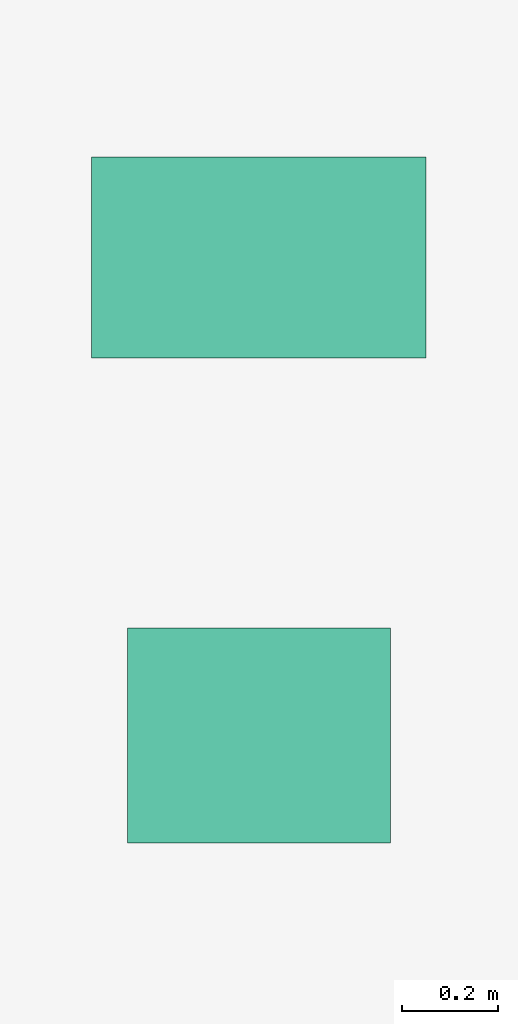
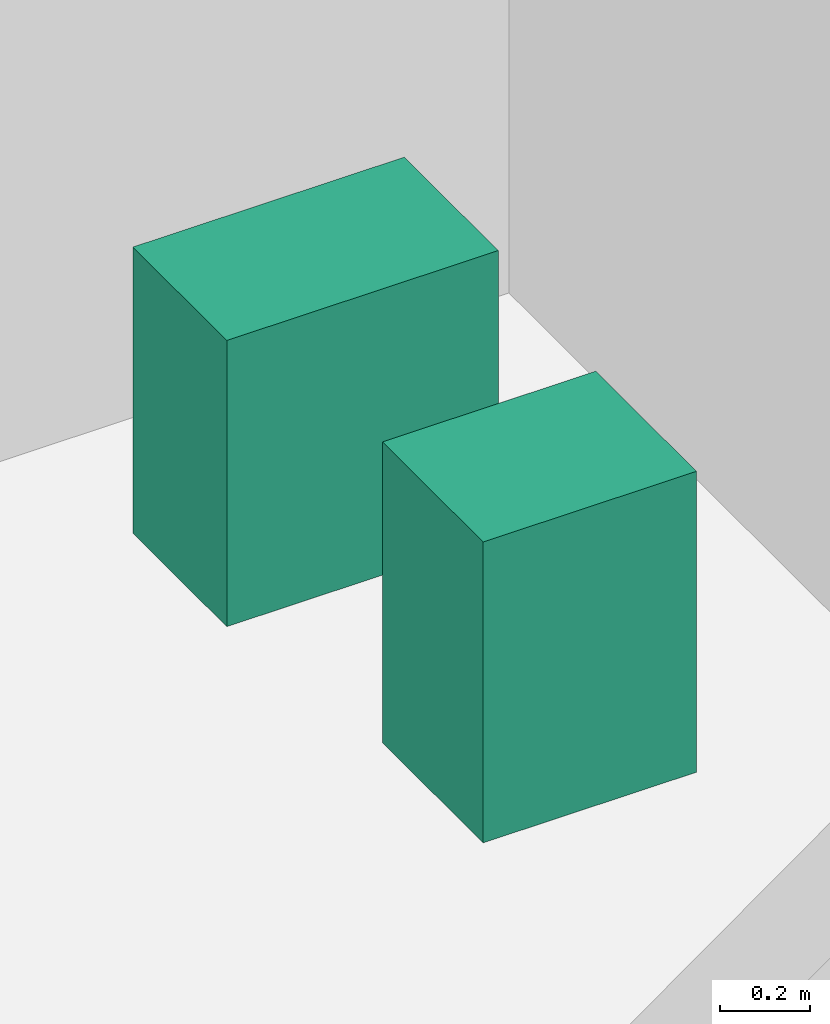
# One storey, part 28 of 28: 2 sanitary terminals.
"""IFC4 building model written with IfcOpenShell, lengths in metres."""

import ifcopenshell
import ifcopenshell.guid

model = None  # the IFC model being written
_history = None  # IfcOwnerHistory: only IFC2X3 demands one
_inside = {}  # id of a spatial element -> (the spatial element, [elements in it])
_under = {}  # id of a project, library or spatial element -> (it, [spatial elements below it])
_declared = {}  # id of a project -> (the project, [libraries it declares])
_typed = {}  # id of a type object -> (the type object, [elements of that type])
_made_of = {}  # id of a material, layer set ... -> (it, [elements and type objects made of it])


def new_model(schema):
    """Start an empty IFC model of exactly this schema.

    Asked for "IFC4X3", IfcOpenShell would pick the latest addendum, in which some entities
    have other attributes; the version numbers below select the first issue.
    IFC2X3 requires an IfcOwnerHistory on every rooted entity: one is made here for all.
    """
    global model, _history
    if schema == "IFC4X3":
        model = ifcopenshell.file(schema_version=(4, 3, 0, 0))
    else:
        model = ifcopenshell.file(schema=schema)
    _inside.clear()
    _under.clear()
    _declared.clear()
    _typed.clear()
    _made_of.clear()
    _history = None
    if model.schema == "IFC2X3":
        org = make("IfcOrganization", Name="unknown")
        user = make(
            "IfcPersonAndOrganization",
            ThePerson=make("IfcPerson", FamilyName="unknown"),
            TheOrganization=org,
        )
        app = make(
            "IfcApplication",
            ApplicationDeveloper=org,
            Version="unknown",
            ApplicationFullName="unknown",
            ApplicationIdentifier="unknown",
        )
        _history = make(
            "IfcOwnerHistory",
            OwningUser=user,
            OwningApplication=app,
            ChangeAction="ADDED",
            CreationDate=0,
        )
    return model


def make(cls, **values):
    """One entity of the class cls with the attributes given. An attribute that is None is left unset."""
    return model.create_entity(
        cls, **{name: value for name, value in values.items() if value is not None}
    )


def rooted(cls, **values):
    """An entity with a GlobalId (a new one), such as an element, a storey or a relation."""
    return make(cls, GlobalId=ifcopenshell.guid.new(), OwnerHistory=_history, **values)


def si_unit(unit_type, name, prefix=None):
    """IfcSIUnit, for example si_unit("LENGTHUNIT", "METRE", prefix="MILLI")."""
    return make("IfcSIUnit", UnitType=unit_type, Prefix=prefix, Name=name)


def assignment(units):
    """IfcUnitAssignment: the units of a project."""
    return None if units is None else make("IfcUnitAssignment", Units=units)


def point(xyz):
    """IfcCartesianPoint."""
    return None if xyz is None else make("IfcCartesianPoint", Coordinates=xyz)


def direction(xyz):
    """IfcDirection."""
    return None if xyz is None else make("IfcDirection", DirectionRatios=xyz)


def frame(location, z_axis=None, x_axis=None):
    """IfcAxis2Placement3D, a coordinate frame: its origin and axes. An axis left out is left unset."""
    return make(
        "IfcAxis2Placement3D",
        Location=point(location),
        Axis=direction(z_axis),
        RefDirection=direction(x_axis),
    )


def frame_2d(location, x_axis=None):
    """IfcAxis2Placement2D, a coordinate frame in the plane: its origin and x axis."""
    return make(
        "IfcAxis2Placement2D", Location=point(location), RefDirection=direction(x_axis)
    )


def origin():
    """The frame at (0, 0, 0) with its axes left unset."""
    return frame((0.0, 0.0, 0.0))


def origin_2d():
    """The frame at (0, 0) in the plane with its x axis left unset."""
    return frame_2d((0.0, 0.0))


def place(relative_to, where):
    """IfcLocalPlacement: puts the frame where relative to a parent placement (None: the world)."""
    return make(
        "IfcLocalPlacement", PlacementRelTo=relative_to, RelativePlacement=where
    )


def context(
    kind, dimensions, precision=None, world=None, true_north=None, identifier=None
):
    """IfcGeometricRepresentationContext, for example the 3D "Model" context."""
    return make(
        "IfcGeometricRepresentationContext",
        ContextIdentifier=identifier,
        ContextType=kind,
        CoordinateSpaceDimension=dimensions,
        Precision=precision,
        WorldCoordinateSystem=world,
        TrueNorth=true_north,
    )


def subcontext(parent, identifier, kind, view, scale=None):
    """IfcGeometricRepresentationSubContext, for example "Body" below "Model"."""
    return make(
        "IfcGeometricRepresentationSubContext",
        ContextIdentifier=identifier,
        ContextType=kind,
        ParentContext=parent,
        TargetScale=scale,
        TargetView=view,
    )


def project(units=None, contexts=None):
    """IfcProject with its units and contexts."""
    return rooted(
        "IfcProject",
        Name="project",
        RepresentationContexts=contexts,
        UnitsInContext=assignment(units),
    )


def spatial(cls, under=None, at=None, **own):
    """A site, building, storey or space (cls), placed at a placement, below another one or the project."""
    s = rooted(cls, ObjectPlacement=at, **own)
    if under is not None:
        _under.setdefault(under.id(), (under, []))[1].append(s)
    return s


def profile(cls, at=None, kind="AREA", **sizes):
    """A parametric profile (cls). Its sizes go by their IFC names, for example OverallWidth=200.0."""
    return make(cls, ProfileType=kind, Position=at, **sizes)


def rectangle(**sizes):
    """IfcRectangleProfileDef."""
    return profile("IfcRectangleProfileDef", **sizes)


def extrude(swept, where, along, depth):
    """IfcExtrudedAreaSolid: the profile swept, set in the frame where, extruded along a direction by depth."""
    return make(
        "IfcExtrudedAreaSolid",
        SweptArea=swept,
        Position=where,
        ExtrudedDirection=direction(along),
        Depth=depth,
    )


def shape(context_of_items, identifier, shape_type, items):
    """IfcShapeRepresentation: the items that make up one representation, for example the "Body"."""
    return make(
        "IfcShapeRepresentation",
        ContextOfItems=context_of_items,
        RepresentationIdentifier=identifier,
        RepresentationType=shape_type,
        Items=items,
    )


def source(mapping_origin, context_of_items, identifier, shape_type, items):
    """IfcRepresentationMap: a shape defined once, which mapped items show again and again."""
    return make(
        "IfcRepresentationMap",
        MappingOrigin=mapping_origin,
        MappedRepresentation=shape(context_of_items, identifier, shape_type, items),
    )


def transform(
    local_origin,
    x_axis=None,
    y_axis=None,
    z_axis=None,
    scale=None,
    scale2=None,
    scale3=None,
    uniform=True,
):
    """IfcCartesianTransformationOperator3D, or its non-uniform kind. x_axis, y_axis, z_axis: its Axis1, 2, 3."""
    if uniform:
        return make(
            "IfcCartesianTransformationOperator3D",
            Axis1=direction(x_axis),
            Axis2=direction(y_axis),
            LocalOrigin=point(local_origin),
            Scale=scale,
            Axis3=direction(z_axis),
        )
    return make(
        "IfcCartesianTransformationOperator3DnonUniform",
        Axis1=direction(x_axis),
        Axis2=direction(y_axis),
        LocalOrigin=point(local_origin),
        Scale=scale,
        Axis3=direction(z_axis),
        Scale2=scale2,
        Scale3=scale3,
    )


def mapped(mapping_source, mapping_target):
    """IfcMappedItem: shows the shape of a source again, moved by a transform."""
    return make(
        "IfcMappedItem", MappingSource=mapping_source, MappingTarget=mapping_target
    )


def material(Name=None, Category=None):
    """IfcMaterial."""
    return make("IfcMaterial", Name=Name, Category=Category)


def made_of(thing, what):
    """Note that an element or type object is made of a material, layer set ...; save() writes the relation."""
    if what is not None:
        _made_of.setdefault(what.id(), (what, []))[1].append(thing)
    return thing


def type_object(cls, material=None, **own):
    """A type object (cls), such as IfcWallType, which elements share."""
    return made_of(rooted(cls, **own), material)


def element(
    cls,
    number,
    at=None,
    inside=None,
    cuts=None,
    type_object=None,
    material=None,
    context=None,
    identifier="Body",
    shape_type=None,
    held_by="IfcProductDefinitionShape",
    body=None,
    shapes=None,
    **own,
):
    """One element of the class cls, such as IfcWall. Its Tag is "e" and its number.

    at: its placement. inside: the storey or other place that contains it. cuts: it is an
    opening in that element (IfcRelVoidsElement). A single representation is given by context,
    identifier, shape_type and body (its items); several are given by shapes. held_by: the class
    of the entity that holds the representations. save() writes the other relations.
    """
    e = rooted(cls, Tag="e%d" % number, ObjectPlacement=at, **own)
    if body is not None:
        shapes = [shape(context, identifier, shape_type, body)]
    if shapes is not None:
        e.Representation = make(held_by, Representations=shapes)
    if inside is not None:
        _inside.setdefault(inside.id(), (inside, []))[1].append(e)
    if cuts is not None:
        rooted(
            "IfcRelVoidsElement", RelatingBuildingElement=cuts, RelatedOpeningElement=e
        )
    if type_object is not None:
        _typed.setdefault(type_object.id(), (type_object, []))[1].append(e)
    return made_of(e, material)


def aggregate(whole, parts):
    """IfcRelAggregates: a whole, such as a stair, and the parts it consists of."""
    return rooted("IfcRelAggregates", RelatingObject=whole, RelatedObjects=parts)


def save(model, path):
    """Write the relations noted so far, then the file.

    IfcRelAggregates (storeys below a building ...), IfcRelContainedInSpatialStructure (elements
    in a storey), IfcRelDefinesByType, IfcRelAssociatesMaterial and IfcRelDeclares: one each for
    every whole, place, type object, material and project.
    """
    for whole, parts in _under.values():
        aggregate(whole, parts)
    for where, things in _inside.values():
        rooted(
            "IfcRelContainedInSpatialStructure",
            RelatedElements=things,
            RelatingStructure=where,
        )
    for kind, things in _typed.values():
        rooted("IfcRelDefinesByType", RelatedObjects=things, RelatingType=kind)
    for what, things in _made_of.values():
        rooted("IfcRelAssociatesMaterial", RelatedObjects=things, RelatingMaterial=what)
    for by, libraries in _declared.values():
        rooted("IfcRelDeclares", RelatingContext=by, RelatedDefinitions=libraries)
    model.write(path)


model = new_model("IFC4")

# Units and contexts
model_context = context("Model", 3, precision=1e-05, world=origin(), true_north=direction((0.0, 1.0)))
body_context = subcontext(model_context, "Body", "Model", "MODEL_VIEW")
ifc_project = project(units=[si_unit("LENGTHUNIT", "METRE"), si_unit("AREAUNIT", "SQUARE_METRE"), si_unit("VOLUMEUNIT", "CUBIC_METRE"), si_unit("PLANEANGLEUNIT", "RADIAN"), si_unit("MASSUNIT", "GRAM", prefix="KILO")], contexts=[model_context])

# Site, building, storey
site_placement = place(None, origin())
site = spatial("IfcSite", under=ifc_project, at=site_placement, CompositionType="ELEMENT")
building_placement = place(site_placement, origin())
building = spatial("IfcBuilding", under=site, at=building_placement, Name="Sumidabori Civic Tower", CompositionType="ELEMENT")
storey_placement = place(building_placement, frame((0.0, 0.0, 149.60009765625)))
storey = spatial("IfcBuildingStorey", under=building, at=storey_placement, Name="L38", CompositionType="ELEMENT", Elevation=149.60009765625)

# Sanitary terminals
ifc_material = material(Name="Vitreous Sanitary Porcelain")
sanitary_terminal_type_1 = type_object("IfcSanitaryTerminalType", Name="SN-WC-1", PredefinedType="TOILETPAN", material=ifc_material)
shared_shape_1 = source(origin(), body_context, "Body", "SweptSolid", [
    extrude(rectangle(XDim=0.699951171875, YDim=0.419921875, at=origin_2d()), origin(), (0.0, 0.0, 1.0), 0.780029296875),
])
sanitary_terminal_1_placement = place(storey_placement, frame((10.800048828125, 21.85009765625, 0.0), z_axis=(0.0, 0.0, 1.0), x_axis=(1.0, 0.0, 0.0)))
element("IfcSanitaryTerminal", 1, at=sanitary_terminal_1_placement, inside=storey, type_object=sanitary_terminal_type_1, Name="Accessible WC Pan L38", PredefinedType="TOILETPAN", context=body_context, shape_type="MappedRepresentation", body=[
    mapped(shared_shape_1, transform((0.0, 0.0, 0.0), x_axis=(1.0, 0.0, 0.0), y_axis=(0.0, 1.0, 0.0), z_axis=(0.0, 0.0, 1.0), scale=1.0)),
])
sanitary_terminal_type_2 = type_object("IfcSanitaryTerminalType", Name="SN-BAS-1", PredefinedType="WASHHANDBASIN", material=ifc_material)
shared_shape_2 = source(origin(), body_context, "Body", "SweptSolid", [
    extrude(rectangle(XDim=0.550048828125, YDim=0.449951171875, at=origin_2d()), origin(), (0.0, 0.0, 1.0), 0.820068359375),
])
sanitary_terminal_2_placement = place(storey_placement, frame((10.800048828125, 20.85009765625, 0.0), z_axis=(0.0, 0.0, 1.0), x_axis=(1.0, 0.0, 0.0)))
element("IfcSanitaryTerminal", 2, at=sanitary_terminal_2_placement, inside=storey, type_object=sanitary_terminal_type_2, Name="Accessible Basin L38", PredefinedType="WASHHANDBASIN", context=body_context, shape_type="MappedRepresentation", body=[
    mapped(shared_shape_2, transform((0.0, 0.0, 0.0), x_axis=(1.0, 0.0, 0.0), y_axis=(0.0, 1.0, 0.0), z_axis=(0.0, 0.0, 1.0), scale=1.0)),
])

save(model, "model.ifc")
